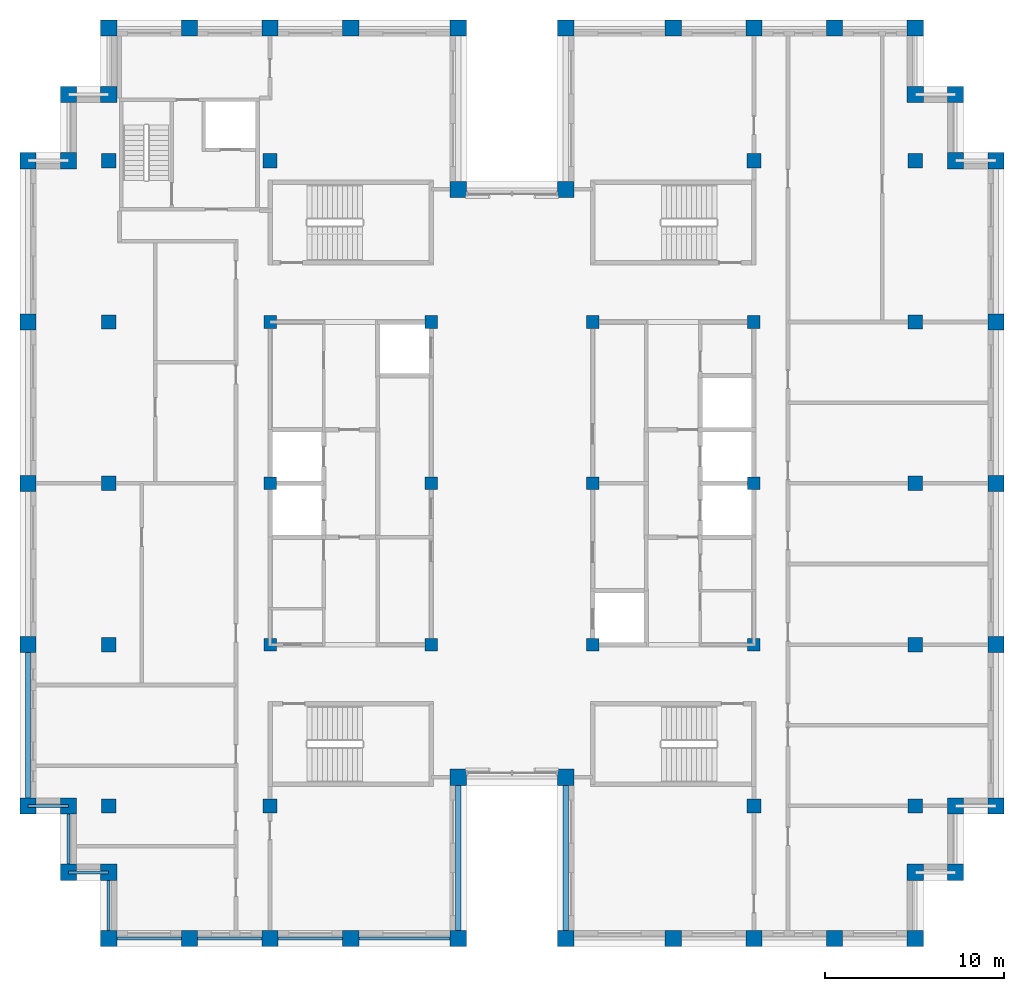
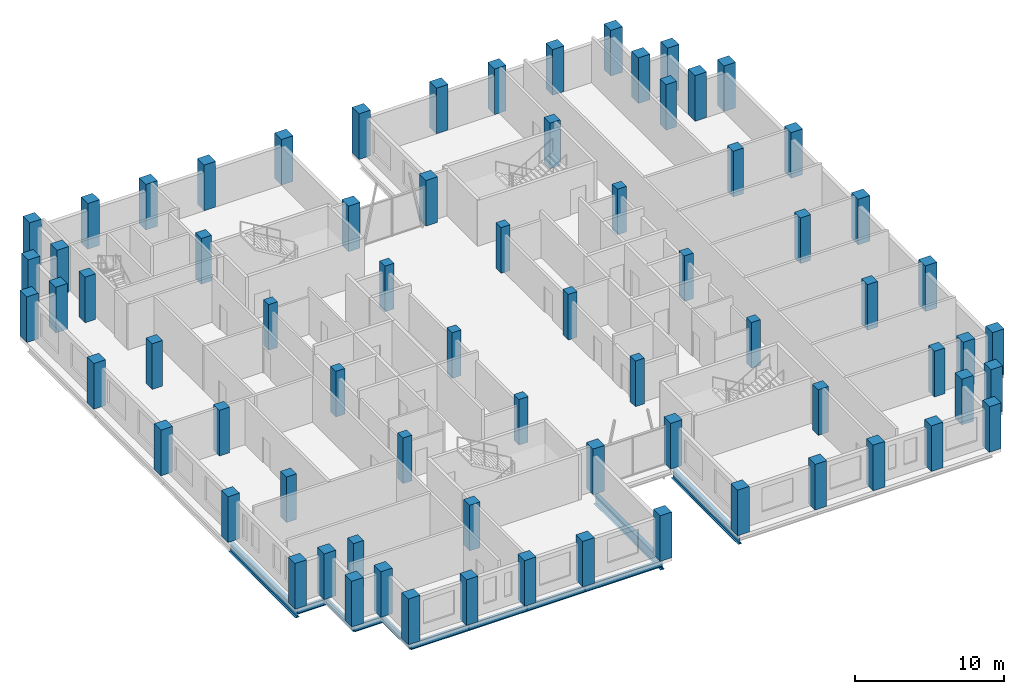
# One storey, part 1 of 13: 72 columns, 11 beams.
"""IFC4 building model written with IfcOpenShell, lengths in metres."""

from ifc_helpers import new_model, si_unit, direction, frame, origin, origin_2d, place, context, subcontext, project, spatial, rectangle, i_section, extrude, material, material_profile, profile_set, type_object, element, save


model = new_model("IFC4")

# Units and contexts
model_context = context("Model", 3, precision=1e-05, world=origin(), true_north=direction((0.0, 1.0)))
body_context = subcontext(model_context, "Body", "Model", "MODEL_VIEW")
ifc_project = project(units=[si_unit("LENGTHUNIT", "METRE"), si_unit("AREAUNIT", "SQUARE_METRE"), si_unit("VOLUMEUNIT", "CUBIC_METRE"), si_unit("PLANEANGLEUNIT", "RADIAN"), si_unit("MASSUNIT", "GRAM", prefix="KILO")], contexts=[model_context])

# Site, building, storey
site_placement = place(None, origin())
site = spatial("IfcSite", under=ifc_project, at=site_placement, CompositionType="ELEMENT")
building_placement = place(site_placement, origin())
building = spatial("IfcBuilding", under=site, at=building_placement, Name="Corbelhall Arena Tower", CompositionType="ELEMENT")
storey_placement = place(building_placement, frame((0.0, 0.0, 342.0)))
storey = spatial("IfcBuildingStorey", under=building, at=storey_placement, Name="L75", CompositionType="ELEMENT", Elevation=342.0)

# Columns
ifc_material_1 = material(Name="Concrete C80/95", Category="concrete")
ifc_material_profile_1 = material_profile(ifc_material_1, rectangle(XDim=0.699951171875, YDim=0.699951171875, at=origin_2d()))
ifc_profile_set_1 = profile_set([ifc_material_profile_1], Name="Concrete C80/95")
column_type_1 = type_object("IfcColumnType", Name="ST-COL-RC 700x700", PredefinedType="COLUMN", material=ifc_profile_set_1)
for number, where, z_axis, x_axis, name in (
    (1, (4.5, 0.0, 0.0), (0.0, 0.0, 1.0), (1.0, 0.0, 0.0), "Column KE+0450+0000"),
    (2, (4.5, 9.0, 0.0), (0.0, 0.0, 1.0), (1.0, 0.0, 0.0), "Column KE+0450+0900"),
    (3, (4.5, -9.0, 0.0), (0.0, 0.0, 1.0), (1.0, 0.0, 0.0), "Column KE+0450-0900"),
    (4, (13.5, 0.0, 0.0), (0.0, 0.0, 1.0), (1.0, 0.0, 0.0), "Column KE+1350+0000"),
    (5, (13.5, 9.0, 0.0), (0.0, 0.0, 1.0), (1.0, 0.0, 0.0), "Column KE+1350+0900"),
    (6, (13.5, -9.0, 0.0), (0.0, 0.0, 1.0), (1.0, 0.0, 0.0), "Column KE+1350-0900"),
    (7, (-4.5, 0.0, 0.0), (0.0, 0.0, 1.0), (1.0, 0.0, 0.0), "Column KW-0450+0000"),
    (8, (-4.5, 9.0, 0.0), (0.0, 0.0, 1.0), (1.0, 0.0, 0.0), "Column KW-0450+0900"),
    (9, (-4.5, -9.0, 0.0), (0.0, 0.0, 1.0), (1.0, 0.0, 0.0), "Column KW-0450-0900"),
    (10, (-13.5, 0.0, 0.0), (0.0, 0.0, 1.0), (1.0, 0.0, 0.0), "Column KW-1350+0000"),
    (11, (-13.5, 9.0, 0.0), (0.0, 0.0, 1.0), (1.0, 0.0, 0.0), "Column KW-1350+0900"),
    (12, (-13.5, -9.0, 0.0), (0.0, 0.0, 1.0), (1.0, 0.0, 0.0), "Column KW-1350-0900"),
):
    element("IfcColumn", number, at=place(storey_placement, frame(where, z_axis=z_axis, x_axis=x_axis)), inside=storey, type_object=column_type_1, Name=name, PredefinedType="COLUMN", context=body_context, shape_type="SweptSolid", body=[
        extrude(rectangle(XDim=0.699951171875, YDim=0.699951171875, at=origin_2d()), origin(), (0.0, 0.0, 1.0), 3.739990234375),
    ])
ifc_material_profile_2 = material_profile(ifc_material_1, rectangle(XDim=0.800048828125, YDim=0.800048828125, at=origin_2d()))
ifc_profile_set_2 = profile_set([ifc_material_profile_2], Name="Concrete C80/95")
column_type_2 = type_object("IfcColumnType", Name="ST-COL-RC 800x800", PredefinedType="COLUMN", material=ifc_profile_set_2)
for number, where, z_axis, x_axis, name in (
    (13, (13.5, 18.0, 0.0), (0.0, 0.0, 1.0), (1.0, 0.0, 0.0), "Column IE13+1800"),
    (14, (13.5, -18.0, 0.0), (0.0, 0.0, 1.0), (1.0, 0.0, 0.0), "Column IE13-1800"),
    (15, (22.5, 0.0, 0.0), (0.0, 0.0, 1.0), (1.0, 0.0, 0.0), "Column IE22+0000"),
    (16, (22.5, 9.0, 0.0), (0.0, 0.0, 1.0), (1.0, 0.0, 0.0), "Column IE22+0900"),
    (17, (22.5, 18.0, 0.0), (0.0, 0.0, 1.0), (1.0, 0.0, 0.0), "Column IE22+1800"),
    (18, (22.5, -9.0, 0.0), (0.0, 0.0, 1.0), (1.0, 0.0, 0.0), "Column IE22-0900"),
    (19, (22.5, -18.0, 0.0), (0.0, 0.0, 1.0), (1.0, 0.0, 0.0), "Column IE22-1800"),
    (20, (-13.5, 18.0, 0.0), (0.0, 0.0, 1.0), (1.0, 0.0, 0.0), "Column IW13+1800"),
    (21, (-13.5, -18.0, 0.0), (0.0, 0.0, 1.0), (1.0, 0.0, 0.0), "Column IW13-1800"),
    (22, (-22.5, 0.0, 0.0), (0.0, 0.0, 1.0), (1.0, 0.0, 0.0), "Column IW22+0000"),
    (23, (-22.5, 9.0, 0.0), (0.0, 0.0, 1.0), (1.0, 0.0, 0.0), "Column IW22+0900"),
    (24, (-22.5, 18.0, 0.0), (0.0, 0.0, 1.0), (1.0, 0.0, 0.0), "Column IW22+1800"),
    (25, (-22.5, -9.0, 0.0), (0.0, 0.0, 1.0), (1.0, 0.0, 0.0), "Column IW22-0900"),
    (26, (-22.5, -18.0, 0.0), (0.0, 0.0, 1.0), (1.0, 0.0, 0.0), "Column IW22-1800"),
):
    element("IfcColumn", number, at=place(storey_placement, frame(where, z_axis=z_axis, x_axis=x_axis)), inside=storey, type_object=column_type_2, Name=name, PredefinedType="COLUMN", context=body_context, shape_type="SweptSolid", body=[
        extrude(rectangle(XDim=0.800048828125, YDim=0.800048828125, at=origin_2d()), origin(), (0.0, 0.0, 1.0), 3.739990234375),
    ])
ifc_material_profile_3 = material_profile(ifc_material_1, rectangle(XDim=0.89990234375, YDim=0.89990234375, at=origin_2d()))
ifc_profile_set_3 = profile_set([ifc_material_profile_3], Name="Concrete C80/95")
column_type_3 = type_object("IfcColumnType", Name="ST-COL-RC 900x900", PredefinedType="COLUMN", material=ifc_profile_set_3)
for number, where, z_axis, x_axis, name in (
    (27, (27.0, 0.0, 0.0), (0.0, 0.0, 1.0), (0.0, 1.0, 0.0), "Column PE+0000"),
    (28, (27.0, 9.0, 0.0), (0.0, 0.0, 1.0), (0.0, 1.0, 0.0), "Column PE+0900"),
    (29, (27.0, 18.0, 0.0), (0.0, 0.0, 1.0), (0.0, 1.0, 0.0), "Column PE+1800"),
    (30, (27.0, -9.0, 0.0), (0.0, 0.0, 1.0), (0.0, 1.0, 0.0), "Column PE-0900"),
    (31, (27.0, -18.0, 0.0), (0.0, 0.0, 1.0), (0.0, 1.0, 0.0), "Column PE-1800"),
    (32, (3.0, 25.39990234375, 0.0), (0.0, 0.0, 1.0), (1.0, 0.0, 0.0), "Column PNE0300"),
    (33, (9.0, 25.39990234375, 0.0), (0.0, 0.0, 1.0), (1.0, 0.0, 0.0), "Column PNE0900"),
    (34, (13.5, 25.39990234375, 0.0), (0.0, 0.0, 1.0), (1.0, 0.0, 0.0), "Column PNE1350"),
    (35, (18.0, 25.39990234375, 0.0), (0.0, 0.0, 1.0), (1.0, 0.0, 0.0), "Column PNE1800"),
    (36, (22.5, 25.39990234375, 0.0), (0.0, 0.0, 1.0), (1.0, 0.0, 0.0), "Column PNE2250"),
    (37, (-3.0, 25.39990234375, 0.0), (0.0, 0.0, 1.0), (1.0, 0.0, 0.0), "Column PNW0300"),
    (38, (-9.0, 25.39990234375, 0.0), (0.0, 0.0, 1.0), (1.0, 0.0, 0.0), "Column PNW0900"),
    (39, (-13.5, 25.39990234375, 0.0), (0.0, 0.0, 1.0), (1.0, 0.0, 0.0), "Column PNW1350"),
    (40, (-18.0, 25.39990234375, 0.0), (0.0, 0.0, 1.0), (1.0, 0.0, 0.0), "Column PNW1800"),
    (41, (-22.5, 25.39990234375, 0.0), (0.0, 0.0, 1.0), (1.0, 0.0, 0.0), "Column PNW2250"),
    (42, (3.0, -25.39990234375, 0.0), (0.0, 0.0, 1.0), (1.0, 0.0, 0.0), "Column PSE0300"),
    (43, (9.0, -25.39990234375, 0.0), (0.0, 0.0, 1.0), (1.0, 0.0, 0.0), "Column PSE0900"),
    (44, (13.5, -25.39990234375, 0.0), (0.0, 0.0, 1.0), (1.0, 0.0, 0.0), "Column PSE1350"),
    (45, (18.0, -25.39990234375, 0.0), (0.0, 0.0, 1.0), (1.0, 0.0, 0.0), "Column PSE1800"),
    (46, (22.5, -25.39990234375, 0.0), (0.0, 0.0, 1.0), (1.0, 0.0, 0.0), "Column PSE2250"),
    (47, (-3.0, -25.39990234375, 0.0), (0.0, 0.0, 1.0), (1.0, 0.0, 0.0), "Column PSW0300"),
    (48, (-9.0, -25.39990234375, 0.0), (0.0, 0.0, 1.0), (1.0, 0.0, 0.0), "Column PSW0900"),
    (49, (-13.5, -25.39990234375, 0.0), (0.0, 0.0, 1.0), (1.0, 0.0, 0.0), "Column PSW1350"),
    (50, (-18.0, -25.39990234375, 0.0), (0.0, 0.0, 1.0), (1.0, 0.0, 0.0), "Column PSW1800"),
    (51, (-22.5, -25.39990234375, 0.0), (0.0, 0.0, 1.0), (1.0, 0.0, 0.0), "Column PSW2250"),
    (52, (-27.0, 0.0, 0.0), (0.0, 0.0, 1.0), (0.0, 1.0, 0.0), "Column PW+0000"),
    (53, (-27.0, 9.0, 0.0), (0.0, 0.0, 1.0), (0.0, 1.0, 0.0), "Column PW+0900"),
    (54, (-27.0, 18.0, 0.0), (0.0, 0.0, 1.0), (0.0, 1.0, 0.0), "Column PW+1800"),
    (55, (-27.0, -9.0, 0.0), (0.0, 0.0, 1.0), (0.0, 1.0, 0.0), "Column PW-0900"),
    (56, (-27.0, -18.0, 0.0), (0.0, 0.0, 1.0), (0.0, 1.0, 0.0), "Column PW-1800"),
    (57, (3.0, 16.39990234375, 0.0), (0.0, 0.0, 1.0), (1.0, 0.0, 0.0), "Column SLNE2"),
    (58, (-3.0, 16.39990234375, 0.0), (0.0, 0.0, 1.0), (1.0, 0.0, 0.0), "Column SLNW2"),
    (59, (3.0, -16.39990234375, 0.0), (0.0, 0.0, 1.0), (1.0, 0.0, 0.0), "Column SLSE2"),
    (60, (-3.0, -16.39990234375, 0.0), (0.0, 0.0, 1.0), (1.0, 0.0, 0.0), "Column SLSW2"),
    (61, (22.5, 21.699951171875, 0.0), (0.0, 0.0, 1.0), (1.0, 0.0, 0.0), "Column XNE1"),
    (62, (24.75, 21.699951171875, 0.0), (0.0, 0.0, 1.0), (1.0, 0.0, 0.0), "Column XNE2"),
    (63, (24.75, 18.0, 0.0), (0.0, 0.0, 1.0), (1.0, 0.0, 0.0), "Column XNE3"),
    (64, (-22.5, 21.699951171875, 0.0), (0.0, 0.0, 1.0), (1.0, 0.0, 0.0), "Column XNW1"),
    (65, (-24.75, 21.699951171875, 0.0), (0.0, 0.0, 1.0), (1.0, 0.0, 0.0), "Column XNW2"),
    (66, (-24.75, 18.0, 0.0), (0.0, 0.0, 1.0), (1.0, 0.0, 0.0), "Column XNW3"),
    (67, (22.5, -21.699951171875, 0.0), (0.0, 0.0, 1.0), (1.0, 0.0, 0.0), "Column XSE1"),
    (68, (24.75, -21.699951171875, 0.0), (0.0, 0.0, 1.0), (1.0, 0.0, 0.0), "Column XSE2"),
    (69, (24.75, -18.0, 0.0), (0.0, 0.0, 1.0), (1.0, 0.0, 0.0), "Column XSE3"),
    (70, (-22.5, -21.699951171875, 0.0), (0.0, 0.0, 1.0), (1.0, 0.0, 0.0), "Column XSW1"),
    (71, (-24.75, -21.699951171875, 0.0), (0.0, 0.0, 1.0), (1.0, 0.0, 0.0), "Column XSW2"),
    (72, (-24.75, -18.0, 0.0), (0.0, 0.0, 1.0), (1.0, 0.0, 0.0), "Column XSW3"),
):
    element("IfcColumn", number, at=place(storey_placement, frame(where, z_axis=z_axis, x_axis=x_axis)), inside=storey, type_object=column_type_3, Name=name, PredefinedType="COLUMN", context=body_context, shape_type="SweptSolid", body=[
        extrude(rectangle(XDim=0.89990234375, YDim=0.89990234375, at=origin_2d()), origin(), (0.0, 0.0, 1.0), 3.739990234375),
    ])

# Beams
ifc_material_2 = material(Name="Steel ASTM A992 Gr50", Category="steel")
ifc_material_profile_4 = material_profile(ifc_material_2, i_section(OverallWidth=0.16650390625, OverallDepth=0.535888671875, WebThickness=0.01025390625, FlangeThickness=0.0166015625, at=origin_2d()))
ifc_profile_set_4 = profile_set([ifc_material_profile_4], Name="Steel ASTM A992 Gr50")
beam_type_1 = type_object("IfcBeamType", Name="ST-SPANDREL-W21x57", PredefinedType="SPANDREL", material=ifc_profile_set_4)
beam_1_placement = place(storey_placement, frame((-3.0, -25.39990234375, -0.528076171875), z_axis=(-1.0, 0.0, 0.0), x_axis=(0.0, -1.0, 0.0)))
element("IfcBeam", 73, at=beam_1_placement, inside=storey, type_object=beam_type_1, Name="Beam SP 21", PredefinedType="SPANDREL", context=body_context, shape_type="SweptSolid", body=[
    extrude(i_section(OverallWidth=0.16650390625, OverallDepth=0.535888671875, WebThickness=0.01025390625, FlangeThickness=0.0166015625, at=origin_2d()), origin(), (0.0, 0.0, 1.0), 6.0),
])
for number, where, z_axis, x_axis, name in (
    (74, (-9.0, -25.39990234375, -0.528076171875), (-1.0, 0.0, 0.0), (0.0, -1.0, 0.0), "Beam SP 22"),
    (75, (-13.5, -25.39990234375, -0.528076171875), (-1.0, 0.0, 0.0), (0.0, -1.0, 0.0), "Beam SP 23"),
    (76, (-18.0, -25.39990234375, -0.528076171875), (-1.0, 0.0, 0.0), (0.0, -1.0, 0.0), "Beam SP 24"),
):
    element("IfcBeam", number, at=place(storey_placement, frame(where, z_axis=z_axis, x_axis=x_axis)), inside=storey, type_object=beam_type_1, Name=name, PredefinedType="SPANDREL", context=body_context, shape_type="SweptSolid", body=[
        extrude(i_section(OverallWidth=0.16650390625, OverallDepth=0.535888671875, WebThickness=0.01025390625, FlangeThickness=0.0166015625, at=origin_2d()), origin(), (0.0, 0.0, 1.0), 4.5),
    ])
beam_2_placement = place(storey_placement, frame((-22.5, -25.39990234375, -0.528076171875), z_axis=(0.0, 1.0, 0.0), x_axis=(-1.0, 0.0, 0.0)))
element("IfcBeam", 77, at=beam_2_placement, inside=storey, type_object=beam_type_1, Name="Beam SP 25", PredefinedType="SPANDREL", context=body_context, shape_type="SweptSolid", body=[
    extrude(i_section(OverallWidth=0.16650390625, OverallDepth=0.535888671875, WebThickness=0.01025390625, FlangeThickness=0.0166015625, at=origin_2d()), origin(), (0.0, 0.0, 1.0), 3.699951171875),
])
beam_3_placement = place(storey_placement, frame((-22.5, -21.699951171875, -0.528076171875), z_axis=(-1.0, 0.0, 0.0), x_axis=(0.0, -1.0, 0.0)))
element("IfcBeam", 78, at=beam_3_placement, inside=storey, type_object=beam_type_1, Name="Beam SP 44", PredefinedType="SPANDREL", context=body_context, shape_type="SweptSolid", body=[
    extrude(i_section(OverallWidth=0.16650390625, OverallDepth=0.535888671875, WebThickness=0.01025390625, FlangeThickness=0.0166015625, at=origin_2d()), origin(), (0.0, 0.0, 1.0), 2.25),
])
beam_4_placement = place(storey_placement, frame((-24.75, -21.699951171875, -0.528076171875), z_axis=(0.0, 1.0, 0.0), x_axis=(-1.0, 0.0, 0.0)))
element("IfcBeam", 79, at=beam_4_placement, inside=storey, type_object=beam_type_1, Name="Beam SP 45", PredefinedType="SPANDREL", context=body_context, shape_type="SweptSolid", body=[
    extrude(i_section(OverallWidth=0.16650390625, OverallDepth=0.535888671875, WebThickness=0.01025390625, FlangeThickness=0.0166015625, at=origin_2d()), origin(), (0.0, 0.0, 1.0), 3.699951171875),
])
beam_5_placement = place(storey_placement, frame((-24.75, -18.0, -0.528076171875), z_axis=(-1.0, 0.0, 0.0), x_axis=(0.0, -1.0, 0.0)))
element("IfcBeam", 80, at=beam_5_placement, inside=storey, type_object=beam_type_1, Name="Beam SP 46", PredefinedType="SPANDREL", context=body_context, shape_type="SweptSolid", body=[
    extrude(i_section(OverallWidth=0.16650390625, OverallDepth=0.535888671875, WebThickness=0.01025390625, FlangeThickness=0.0166015625, at=origin_2d()), origin(), (0.0, 0.0, 1.0), 2.25),
])
ifc_material_profile_5 = material_profile(ifc_material_2, i_section(OverallWidth=0.2919921875, OverallDepth=0.845703125, WebThickness=0.015380859375, FlangeThickness=0.0244140625, at=origin_2d()))
ifc_profile_set_5 = profile_set([ifc_material_profile_5], Name="Steel ASTM A992 Gr50")
beam_type_2 = type_object("IfcBeamType", Name="ST-SPANDREL-W33x141", PredefinedType="SPANDREL", material=ifc_profile_set_5)
for number, where, z_axis, x_axis, name in (
    (81, (3.0, -25.39990234375, -0.682861328125), (0.0, 1.0, 0.0), (-1.0, 0.0, 0.0), "Beam SP 16"),
    (82, (-27.0, -18.0, -0.682861328125), (0.0, 1.0, 0.0), (-1.0, 0.0, 0.0), "Beam SP 30"),
    (83, (-3.0, -16.39990234375, -0.682861328125), (0.0, -1.0, 0.0), (1.0, 0.0, 0.0), "Beam SP 34"),
):
    element("IfcBeam", number, at=place(storey_placement, frame(where, z_axis=z_axis, x_axis=x_axis)), inside=storey, type_object=beam_type_2, Name=name, PredefinedType="SPANDREL", context=body_context, shape_type="SweptSolid", body=[
        extrude(i_section(OverallWidth=0.2919921875, OverallDepth=0.845703125, WebThickness=0.015380859375, FlangeThickness=0.0244140625, at=origin_2d()), origin(), (0.0, 0.0, 1.0), 9.0),
    ])

save(model, "model.ifc")
